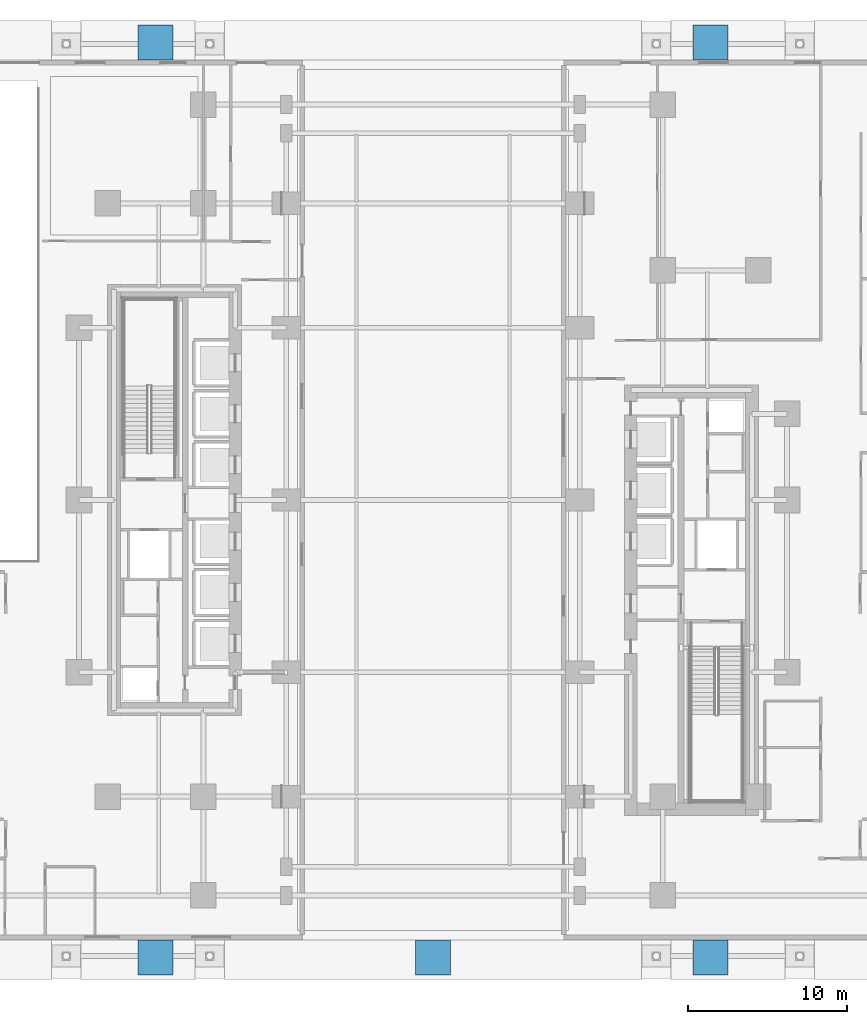
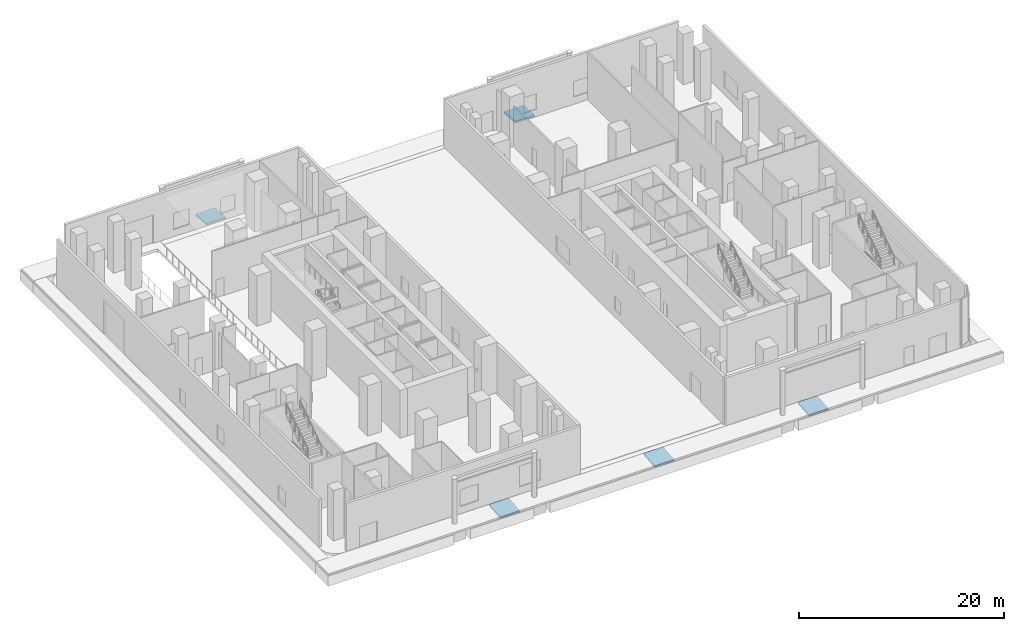
# One storey, part 15 of 22: 5 ramp flights, 5 elements without a shape of their own.
"""IFC4 building model written with IfcOpenShell, lengths in metres."""

import ifcopenshell
import ifcopenshell.guid

model = None  # the IFC model being written
_history = None  # IfcOwnerHistory: only IFC2X3 demands one
_inside = {}  # id of a spatial element -> (the spatial element, [elements in it])
_under = {}  # id of a project, library or spatial element -> (it, [spatial elements below it])
_declared = {}  # id of a project -> (the project, [libraries it declares])
_typed = {}  # id of a type object -> (the type object, [elements of that type])
_made_of = {}  # id of a material, layer set ... -> (it, [elements and type objects made of it])


def new_model(schema):
    """Start an empty IFC model of exactly this schema.

    Asked for "IFC4X3", IfcOpenShell would pick the latest addendum, in which some entities
    have other attributes; the version numbers below select the first issue.
    IFC2X3 requires an IfcOwnerHistory on every rooted entity: one is made here for all.
    """
    global model, _history
    if schema == "IFC4X3":
        model = ifcopenshell.file(schema_version=(4, 3, 0, 0))
    else:
        model = ifcopenshell.file(schema=schema)
    _inside.clear()
    _under.clear()
    _declared.clear()
    _typed.clear()
    _made_of.clear()
    _history = None
    if model.schema == "IFC2X3":
        org = make("IfcOrganization", Name="unknown")
        user = make(
            "IfcPersonAndOrganization",
            ThePerson=make("IfcPerson", FamilyName="unknown"),
            TheOrganization=org,
        )
        app = make(
            "IfcApplication",
            ApplicationDeveloper=org,
            Version="unknown",
            ApplicationFullName="unknown",
            ApplicationIdentifier="unknown",
        )
        _history = make(
            "IfcOwnerHistory",
            OwningUser=user,
            OwningApplication=app,
            ChangeAction="ADDED",
            CreationDate=0,
        )
    return model


def make(cls, **values):
    """One entity of the class cls with the attributes given. An attribute that is None is left unset."""
    return model.create_entity(
        cls, **{name: value for name, value in values.items() if value is not None}
    )


def rooted(cls, **values):
    """An entity with a GlobalId (a new one), such as an element, a storey or a relation."""
    return make(cls, GlobalId=ifcopenshell.guid.new(), OwnerHistory=_history, **values)


def si_unit(unit_type, name, prefix=None):
    """IfcSIUnit, for example si_unit("LENGTHUNIT", "METRE", prefix="MILLI")."""
    return make("IfcSIUnit", UnitType=unit_type, Prefix=prefix, Name=name)


def assignment(units):
    """IfcUnitAssignment: the units of a project."""
    return None if units is None else make("IfcUnitAssignment", Units=units)


def point(xyz):
    """IfcCartesianPoint."""
    return None if xyz is None else make("IfcCartesianPoint", Coordinates=xyz)


def direction(xyz):
    """IfcDirection."""
    return None if xyz is None else make("IfcDirection", DirectionRatios=xyz)


def frame(location, z_axis=None, x_axis=None):
    """IfcAxis2Placement3D, a coordinate frame: its origin and axes. An axis left out is left unset."""
    return make(
        "IfcAxis2Placement3D",
        Location=point(location),
        Axis=direction(z_axis),
        RefDirection=direction(x_axis),
    )


def origin():
    """The frame at (0, 0, 0) with its axes left unset."""
    return frame((0.0, 0.0, 0.0))


def place(relative_to, where):
    """IfcLocalPlacement: puts the frame where relative to a parent placement (None: the world)."""
    return make(
        "IfcLocalPlacement", PlacementRelTo=relative_to, RelativePlacement=where
    )


def context(
    kind, dimensions, precision=None, world=None, true_north=None, identifier=None
):
    """IfcGeometricRepresentationContext, for example the 3D "Model" context."""
    return make(
        "IfcGeometricRepresentationContext",
        ContextIdentifier=identifier,
        ContextType=kind,
        CoordinateSpaceDimension=dimensions,
        Precision=precision,
        WorldCoordinateSystem=world,
        TrueNorth=true_north,
    )


def subcontext(parent, identifier, kind, view, scale=None):
    """IfcGeometricRepresentationSubContext, for example "Body" below "Model"."""
    return make(
        "IfcGeometricRepresentationSubContext",
        ContextIdentifier=identifier,
        ContextType=kind,
        ParentContext=parent,
        TargetScale=scale,
        TargetView=view,
    )


def project(units=None, contexts=None):
    """IfcProject with its units and contexts."""
    return rooted(
        "IfcProject",
        Name="project",
        RepresentationContexts=contexts,
        UnitsInContext=assignment(units),
    )


def spatial(cls, under=None, at=None, **own):
    """A site, building, storey or space (cls), placed at a placement, below another one or the project."""
    s = rooted(cls, ObjectPlacement=at, **own)
    if under is not None:
        _under.setdefault(under.id(), (under, []))[1].append(s)
    return s


def polyline(points):
    """IfcPolyline through the points."""
    return make("IfcPolyline", Points=[point(p) for p in points])


def outline(outer, holes=None, kind="AREA"):
    """IfcArbitraryClosedProfileDef: a profile drawn as a closed curve; with holes, ...WithVoids."""
    if holes is None:
        return make("IfcArbitraryClosedProfileDef", ProfileType=kind, OuterCurve=outer)
    return make(
        "IfcArbitraryProfileDefWithVoids",
        ProfileType=kind,
        OuterCurve=outer,
        InnerCurves=holes,
    )


def extrude(swept, where, along, depth):
    """IfcExtrudedAreaSolid: the profile swept, set in the frame where, extruded along a direction by depth."""
    return make(
        "IfcExtrudedAreaSolid",
        SweptArea=swept,
        Position=where,
        ExtrudedDirection=direction(along),
        Depth=depth,
    )


def shape(context_of_items, identifier, shape_type, items):
    """IfcShapeRepresentation: the items that make up one representation, for example the "Body"."""
    return make(
        "IfcShapeRepresentation",
        ContextOfItems=context_of_items,
        RepresentationIdentifier=identifier,
        RepresentationType=shape_type,
        Items=items,
    )


def material(Name=None, Category=None):
    """IfcMaterial."""
    return make("IfcMaterial", Name=Name, Category=Category)


def layer(
    of_material, thickness, ventilated=None, Name=None, Category=None, Priority=None
):
    """IfcMaterialLayer: one layer of a wall or slab, of a material (None: an air gap)."""
    return make(
        "IfcMaterialLayer",
        Material=of_material,
        LayerThickness=thickness,
        IsVentilated=ventilated,
        Name=Name,
        Category=Category,
        Priority=Priority,
    )


def layer_set(layers, Name=None):
    """IfcMaterialLayerSet."""
    return make("IfcMaterialLayerSet", MaterialLayers=layers, LayerSetName=Name)


def made_of(thing, what):
    """Note that an element or type object is made of a material, layer set ...; save() writes the relation."""
    if what is not None:
        _made_of.setdefault(what.id(), (what, []))[1].append(thing)
    return thing


def type_object(cls, material=None, **own):
    """A type object (cls), such as IfcWallType, which elements share."""
    return made_of(rooted(cls, **own), material)


def element(
    cls,
    number,
    at=None,
    inside=None,
    cuts=None,
    type_object=None,
    material=None,
    context=None,
    identifier="Body",
    shape_type=None,
    held_by="IfcProductDefinitionShape",
    body=None,
    shapes=None,
    **own,
):
    """One element of the class cls, such as IfcWall. Its Tag is "e" and its number.

    at: its placement. inside: the storey or other place that contains it. cuts: it is an
    opening in that element (IfcRelVoidsElement). A single representation is given by context,
    identifier, shape_type and body (its items); several are given by shapes. held_by: the class
    of the entity that holds the representations. save() writes the other relations.
    """
    e = rooted(cls, Tag="e%d" % number, ObjectPlacement=at, **own)
    if body is not None:
        shapes = [shape(context, identifier, shape_type, body)]
    if shapes is not None:
        e.Representation = make(held_by, Representations=shapes)
    if inside is not None:
        _inside.setdefault(inside.id(), (inside, []))[1].append(e)
    if cuts is not None:
        rooted(
            "IfcRelVoidsElement", RelatingBuildingElement=cuts, RelatedOpeningElement=e
        )
    if type_object is not None:
        _typed.setdefault(type_object.id(), (type_object, []))[1].append(e)
    return made_of(e, material)


def aggregate(whole, parts):
    """IfcRelAggregates: a whole, such as a stair, and the parts it consists of."""
    return rooted("IfcRelAggregates", RelatingObject=whole, RelatedObjects=parts)


def save(model, path):
    """Write the relations noted so far, then the file.

    IfcRelAggregates (storeys below a building ...), IfcRelContainedInSpatialStructure (elements
    in a storey), IfcRelDefinesByType, IfcRelAssociatesMaterial and IfcRelDeclares: one each for
    every whole, place, type object, material and project.
    """
    for whole, parts in _under.values():
        aggregate(whole, parts)
    for where, things in _inside.values():
        rooted(
            "IfcRelContainedInSpatialStructure",
            RelatedElements=things,
            RelatingStructure=where,
        )
    for kind, things in _typed.values():
        rooted("IfcRelDefinesByType", RelatedObjects=things, RelatingType=kind)
    for what, things in _made_of.values():
        rooted("IfcRelAssociatesMaterial", RelatedObjects=things, RelatingMaterial=what)
    for by, libraries in _declared.values():
        rooted("IfcRelDeclares", RelatingContext=by, RelatedDefinitions=libraries)
    model.write(path)


model = new_model("IFC4")

# Units and contexts
model_context = context("Model", 3, precision=1e-05, world=origin(), true_north=direction((0.0, 1.0)))
body_context = subcontext(model_context, "Body", "Model", "MODEL_VIEW")
ifc_project = project(units=[si_unit("LENGTHUNIT", "METRE"), si_unit("AREAUNIT", "SQUARE_METRE"), si_unit("VOLUMEUNIT", "CUBIC_METRE"), si_unit("PLANEANGLEUNIT", "RADIAN"), si_unit("MASSUNIT", "GRAM", prefix="KILO")], contexts=[model_context])

# Site, building, storey
site_placement = place(None, origin())
site = spatial("IfcSite", under=ifc_project, at=site_placement, CompositionType="ELEMENT")
building_placement = place(site_placement, origin())
building = spatial("IfcBuilding", under=site, at=building_placement, Name="Khairoan Windgate Tower", CompositionType="ELEMENT")
storey_placement = place(building_placement, origin())
storey = spatial("IfcBuildingStorey", under=building, at=storey_placement, Name="L01", CompositionType="ELEMENT", Elevation=0.0)

# Ramp, ramp flight
ifc_material_1 = material(Name="Concrete C40/50", Category="concrete")
ramp_type = type_object("IfcRampType", Name="Accessible Threshold Ramp ARMP1", PredefinedType="STRAIGHT_RUN_RAMP", material=ifc_material_1)
ramp_1_placement = place(storey_placement, origin())
ramp_1 = element("IfcRamp", 1, at=ramp_1_placement, inside=storey, type_object=ramp_type, Name="South-West Forecourt Accessible Ramp", PredefinedType="STRAIGHT_RUN_RAMP")
ifc_material_2 = material(Name="Concrete C40/50", Category="concrete")
ifc_layer = layer(ifc_material_2, 0.199951171875, Name="Concrete C40/50")
ifc_layer_set = layer_set([ifc_layer], Name="Concrete C40/50")
ramp_flight_type = type_object("IfcRampFlightType", Name="Accessible Ramp Flight ARF-200", PredefinedType="STRAIGHT", material=ifc_layer_set)
ramp_flight_1_placement = place(storey_placement, frame((-18.5, -29.800048828125, -0.179931640625), z_axis=(0.0, -0.081516728945, 0.996671973571), x_axis=(1.0, 0.0, 0.0)))
ramp_flight_1 = element("IfcRampFlight", 2, at=ramp_flight_1_placement, type_object=ramp_flight_type, Name="South-West Forecourt Accessible Ramp Flight", PredefinedType="STRAIGHT", context=body_context, shape_type="SweptSolid", body=[
    extrude(outline(polyline([(0.0, 0.0), (2.199951171875, 0.0), (2.199951171875, 2.207297115010163), (0.0, 2.207297115010163), (0.0, 0.0)])), origin(), (0.0, 0.0, -1.0), 0.199951171875),
])
aggregate(ramp_1, [ramp_flight_1])

ramp_2_placement = place(storey_placement, origin())
ramp_2 = element("IfcRamp", 3, at=ramp_2_placement, inside=storey, type_object=ramp_type, Name="South-East Forecourt Accessible Ramp", PredefinedType="STRAIGHT_RUN_RAMP")
ramp_flight_2_placement = place(storey_placement, frame((16.300048828125, -29.800048828125, -0.179931640625), z_axis=(0.0, -0.081516728945, 0.996671973571), x_axis=(1.0, 0.0, 0.0)))
ramp_flight_2 = element("IfcRampFlight", 4, at=ramp_flight_2_placement, type_object=ramp_flight_type, Name="South-East Forecourt Accessible Ramp Flight", PredefinedType="STRAIGHT", context=body_context, shape_type="SweptSolid", body=[
    extrude(outline(polyline([(0.0, 0.0), (2.199951171875, 0.0), (2.199951171875, 2.207297115010163), (0.0, 2.207297115010163), (0.0, 0.0)])), origin(), (0.0, 0.0, -1.0), 0.199951171875),
])
aggregate(ramp_2, [ramp_flight_2])

ramp_3_placement = place(storey_placement, origin())
ramp_3 = element("IfcRamp", 5, at=ramp_3_placement, inside=storey, type_object=ramp_type, Name="Central Concourse Forecourt Accessible Ramp", PredefinedType="STRAIGHT_RUN_RAMP")
ramp_flight_3_placement = place(storey_placement, frame((-1.10009765625, -29.800048828125, -0.179931640625), z_axis=(0.0, -0.081516728945, 0.996671973571), x_axis=(1.0, 0.0, 0.0)))
ramp_flight_3 = element("IfcRampFlight", 6, at=ramp_flight_3_placement, type_object=ramp_flight_type, Name="Central Concourse Forecourt Accessible Ramp Flight", PredefinedType="STRAIGHT", context=body_context, shape_type="SweptSolid", body=[
    extrude(outline(polyline([(0.0, 0.0), (2.2001953125, 0.0), (2.2001953125, 2.2072971150101632), (0.0, 2.2072971150101632), (0.0, 0.0)])), origin(), (0.0, 0.0, -1.0), 0.199951171875),
])
aggregate(ramp_3, [ramp_flight_3])

ramp_4_placement = place(storey_placement, origin())
ramp_4 = element("IfcRamp", 7, at=ramp_4_placement, inside=storey, type_object=ramp_type, Name="North-West Riverfront Accessible Ramp", PredefinedType="STRAIGHT_RUN_RAMP")
ramp_flight_4_placement = place(storey_placement, frame((-18.5, 27.60009765625, 0.0), z_axis=(0.0, 0.081516728945, 0.996671973571), x_axis=(1.0, 0.0, 0.0)))
ramp_flight_4 = element("IfcRampFlight", 8, at=ramp_flight_4_placement, type_object=ramp_flight_type, Name="North-West Riverfront Accessible Ramp Flight", PredefinedType="STRAIGHT", context=body_context, shape_type="SweptSolid", body=[
    extrude(outline(polyline([(0.0, 0.0), (2.199951171875, 0.0), (2.199951171875, 2.207297115010163), (0.0, 2.207297115010163), (0.0, 0.0)])), origin(), (0.0, 0.0, -1.0), 0.199951171875),
])
aggregate(ramp_4, [ramp_flight_4])

ramp_5_placement = place(storey_placement, origin())
ramp_5 = element("IfcRamp", 9, at=ramp_5_placement, inside=storey, type_object=ramp_type, Name="North-East Riverfront Accessible Ramp", PredefinedType="STRAIGHT_RUN_RAMP")
ramp_flight_5_placement = place(storey_placement, frame((16.300048828125, 27.60009765625, 0.0), z_axis=(0.0, 0.081516728945, 0.996671973571), x_axis=(1.0, 0.0, 0.0)))
ramp_flight_5 = element("IfcRampFlight", 10, at=ramp_flight_5_placement, type_object=ramp_flight_type, Name="North-East Riverfront Accessible Ramp Flight", PredefinedType="STRAIGHT", context=body_context, shape_type="SweptSolid", body=[
    extrude(outline(polyline([(0.0, 0.0), (2.199951171875, 0.0), (2.199951171875, 2.207297115010163), (0.0, 2.207297115010163), (0.0, 0.0)])), origin(), (0.0, 0.0, -1.0), 0.199951171875),
])
aggregate(ramp_5, [ramp_flight_5])

save(model, "model.ifc")
